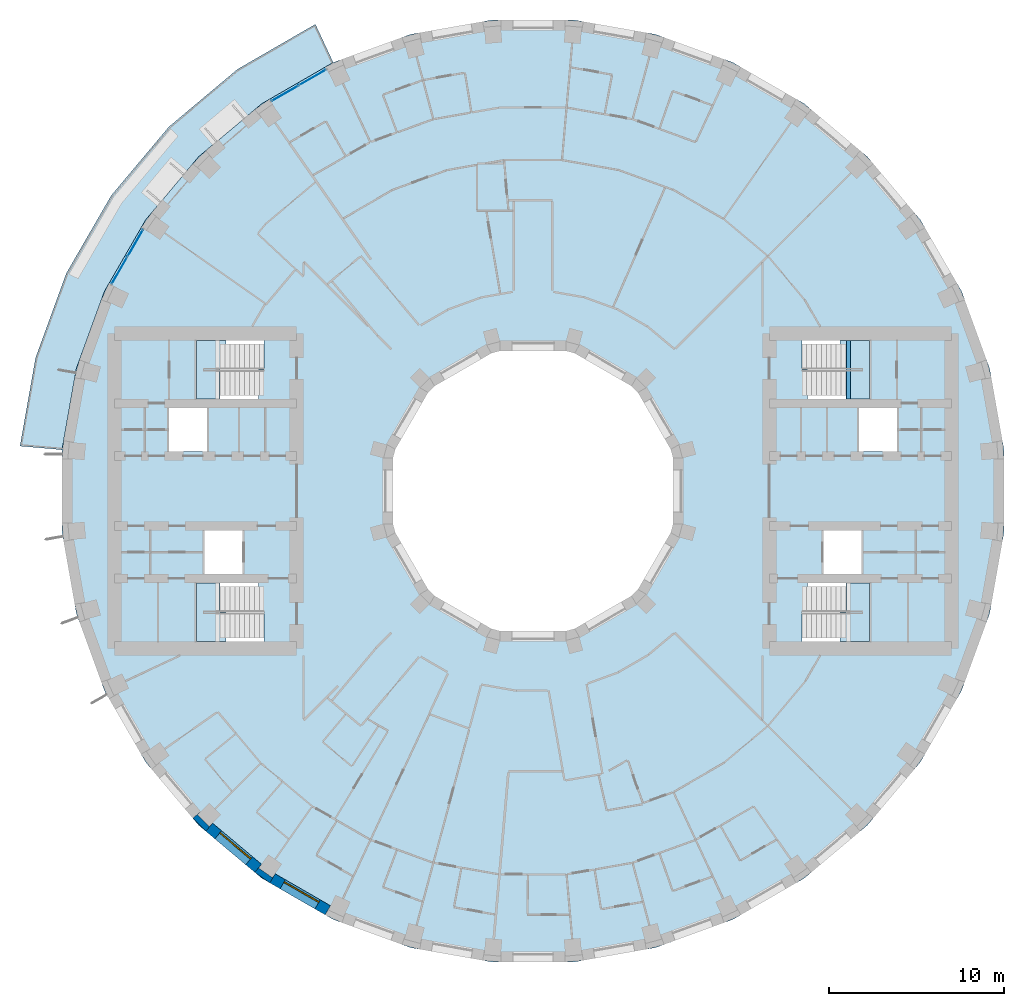
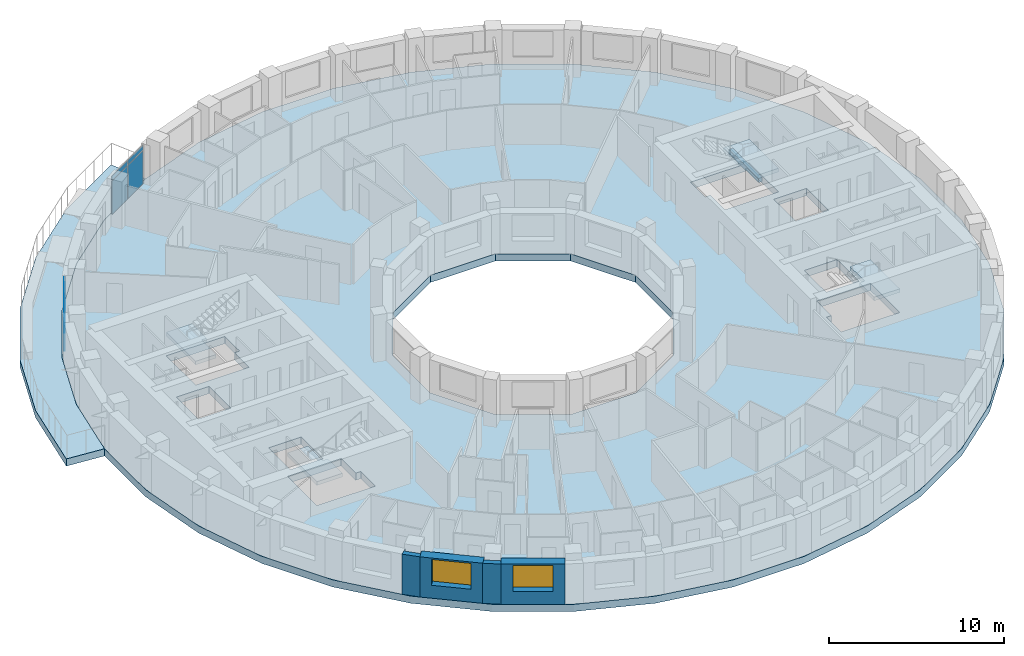
# One storey, part 3 of 15: 8 plates, 6 slabs, 4 walls, 2 windows, 1 beam, 2 openings, 6 elements without a shape of their own.
"""IFC4 building model written with IfcOpenShell, lengths in metres."""

from ifc_helpers import new_model, si_unit, direction, frame, frame_2d, origin, origin_2d, place, context, subcontext, project, spatial, polyline, rectangle, outline, extrude, material, layer, layer_set, material_profile, profile_set, type_object, element, fill, aggregate, save


model = new_model("IFC4")

# Units and contexts
model_context = context("Model", 3, precision=1e-05, world=origin(), true_north=direction((0.0, 1.0)))
body_context = subcontext(model_context, "Body", "Model", "MODEL_VIEW")
ifc_project = project(units=[si_unit("LENGTHUNIT", "METRE"), si_unit("AREAUNIT", "SQUARE_METRE"), si_unit("VOLUMEUNIT", "CUBIC_METRE"), si_unit("PLANEANGLEUNIT", "RADIAN"), si_unit("MASSUNIT", "GRAM", prefix="KILO")], contexts=[model_context])

# Site, building, storey
site_placement = place(None, origin())
site = spatial("IfcSite", under=ifc_project, at=site_placement, CompositionType="ELEMENT")
building_placement = place(site_placement, origin())
building = spatial("IfcBuilding", under=site, at=building_placement, Name="Saqina Gate Tower", CompositionType="ELEMENT")
storey_placement = place(building_placement, frame((0.0, 0.0, 108.39990234375)))
storey = spatial("IfcBuildingStorey", under=building, at=storey_placement, Name="L30", CompositionType="ELEMENT", Elevation=108.39990234375)

# Beam
ifc_material_1 = material(Name="Concrete C40/50", Category="concrete")
ifc_material_profile = material_profile(ifc_material_1, rectangle(XDim=0.25, YDim=0.300048828125, at=origin_2d()), Name="STAIR LANDING BEAM")
ifc_profile_set = profile_set([ifc_material_profile], Name="Concrete C40/50")
beam_type = type_object("IfcBeamType", Name="STAIR LANDING BEAM", PredefinedType="BEAM", material=ifc_profile_set)
beam_placement = place(storey_placement, frame((18.02001953125, 5.25, 1.25), z_axis=(0.0, 1.0, 0.0), x_axis=(-1.0, 0.0, 0.0)))
element("IfcBeam", 1, at=beam_placement, inside=storey, type_object=beam_type, Name="EXIT STAIR 1 LANDING BEAM", PredefinedType="BEAM", context=body_context, shape_type="SweptSolid", body=[
    extrude(rectangle(XDim=0.25, YDim=0.300048828125, at=origin_2d()), origin(), (0.0, 0.0, 1.0), 3.35009765625),
])

# Curtain wall, plates
ifc_material_2 = material(Name="Aluminium glazing", Category="aluminium")
ifc_layer_1 = layer(ifc_material_2, 0.159912109375)
ifc_layer_set_1 = layer_set([ifc_layer_1], Name="CWT-4")
curtain_wall_type = type_object("IfcCurtainWallType", Name="CWT-4", PredefinedType="NOTDEFINED", material=ifc_layer_set_1)
curtain_wall_1_placement = place(storey_placement, origin())
curtain_wall_1 = element("IfcCurtainWall", 2, at=curtain_wall_1_placement, inside=storey, type_object=curtain_wall_type, Name="Terrace lounge glazing facet 12", PredefinedType="NOTDEFINED")
ifc_material_3 = material(Name="Glass", Category="glass")
ifc_layer_2 = layer(ifc_material_3, 0.028076171875)
ifc_layer_set_2 = layer_set([ifc_layer_2], Name="CWT-4P")
plate_type = type_object("IfcPlateType", Name="CWT-4P", PredefinedType="CURTAIN_PANEL", material=ifc_layer_set_2)
plate_1_placement = place(storey_placement, frame((-12.596923828125, 23.6123046875, 0.06005859375), z_axis=(0.0, 0.0, 1.0), x_axis=(-0.86602626266, -0.499998512381, 0.0)))
plate_1 = element("IfcPlate", 3, at=plate_1_placement, type_object=plate_type, Name="CW4-12 panel 1.1", PredefinedType="CURTAIN_PANEL", context=body_context, shape_type="SweptSolid", body=[
    extrude(rectangle(XDim=1.73388671875, YDim=0.028076171875, at=origin_2d()), origin(), (0.0, 0.0, 1.0), 2.31005859375),
])
plate_2_placement = place(storey_placement, frame((-12.596923828125, 23.6123046875, 2.43017578125), z_axis=(0.0, 0.0, 1.0), x_axis=(-0.86602626266, -0.499998512381, 0.0)))
plate_2 = element("IfcPlate", 4, at=plate_2_placement, type_object=plate_type, Name="CW4-12 panel 1.2", PredefinedType="CURTAIN_PANEL", context=body_context, shape_type="SweptSolid", body=[
    extrude(rectangle(XDim=1.73388671875, YDim=0.028076171875, at=origin_2d()), origin(), (0.0, 0.0, 1.0), 0.31005859375),
])
plate_3_placement = place(storey_placement, frame((-14.150390625, 22.71533203125, 0.06005859375), z_axis=(0.0, 0.0, 1.0), x_axis=(-0.86602626266, -0.499998512381, 0.0)))
plate_3 = element("IfcPlate", 5, at=plate_3_placement, type_object=plate_type, Name="CW4-12 panel 2.1", PredefinedType="CURTAIN_PANEL", context=body_context, shape_type="SweptSolid", body=[
    extrude(rectangle(XDim=1.73388671875, YDim=0.028076171875, at=origin_2d()), origin(), (0.0, 0.0, 1.0), 2.31005859375),
])
plate_4_placement = place(storey_placement, frame((-14.150390625, 22.71533203125, 2.43017578125), z_axis=(0.0, 0.0, 1.0), x_axis=(-0.86602626266, -0.499998512381, 0.0)))
plate_4 = element("IfcPlate", 6, at=plate_4_placement, type_object=plate_type, Name="CW4-12 panel 2.2", PredefinedType="CURTAIN_PANEL", context=body_context, shape_type="SweptSolid", body=[
    extrude(rectangle(XDim=1.73388671875, YDim=0.028076171875, at=origin_2d()), origin(), (0.0, 0.0, 1.0), 0.31005859375),
])
aggregate(curtain_wall_1, [plate_1, plate_2, plate_3, plate_4])

curtain_wall_2_placement = place(storey_placement, origin())
curtain_wall_2 = element("IfcCurtainWall", 7, at=curtain_wall_2_placement, inside=storey, type_object=curtain_wall_type, Name="Terrace lounge glazing facet 15", PredefinedType="NOTDEFINED")
plate_5_placement = place(storey_placement, frame((-22.71533203125, 14.150390625, 0.06005859375), z_axis=(0.0, 0.0, 1.0), x_axis=(-0.499998512381, -0.86602626266, 0.0)))
plate_5 = element("IfcPlate", 8, at=plate_5_placement, type_object=plate_type, Name="CW4-15 panel 1.1", PredefinedType="CURTAIN_PANEL", context=body_context, shape_type="SweptSolid", body=[
    extrude(rectangle(XDim=1.73388671875, YDim=0.028076171875, at=origin_2d()), origin(), (0.0, 0.0, 1.0), 2.31005859375),
])
plate_6_placement = place(storey_placement, frame((-22.71533203125, 14.150390625, 2.43017578125), z_axis=(0.0, 0.0, 1.0), x_axis=(-0.499998512381, -0.86602626266, 0.0)))
plate_6 = element("IfcPlate", 9, at=plate_6_placement, type_object=plate_type, Name="CW4-15 panel 1.2", PredefinedType="CURTAIN_PANEL", context=body_context, shape_type="SweptSolid", body=[
    extrude(rectangle(XDim=1.73388671875, YDim=0.028076171875, at=origin_2d()), origin(), (0.0, 0.0, 1.0), 0.31005859375),
])
plate_7_placement = place(storey_placement, frame((-23.6123046875, 12.596923828125, 0.06005859375), z_axis=(0.0, 0.0, 1.0), x_axis=(-0.499998512381, -0.86602626266, 0.0)))
plate_7 = element("IfcPlate", 10, at=plate_7_placement, type_object=plate_type, Name="CW4-15 panel 2.1", PredefinedType="CURTAIN_PANEL", context=body_context, shape_type="SweptSolid", body=[
    extrude(rectangle(XDim=1.73388671875, YDim=0.028076171875, at=origin_2d()), origin(), (0.0, 0.0, 1.0), 2.31005859375),
])
plate_8_placement = place(storey_placement, frame((-23.6123046875, 12.596923828125, 2.43017578125), z_axis=(0.0, 0.0, 1.0), x_axis=(-0.499998512381, -0.86602626266, 0.0)))
plate_8 = element("IfcPlate", 11, at=plate_8_placement, type_object=plate_type, Name="CW4-15 panel 2.2", PredefinedType="CURTAIN_PANEL", context=body_context, shape_type="SweptSolid", body=[
    extrude(rectangle(XDim=1.73388671875, YDim=0.028076171875, at=origin_2d()), origin(), (0.0, 0.0, 1.0), 0.31005859375),
])
aggregate(curtain_wall_2, [plate_5, plate_6, plate_7, plate_8])

# Stair, slab
ifc_material_4 = material(Name="Concrete C40/50", Category="concrete")
stair_type = type_object("IfcStairType", Name="EXIT STAIR", PredefinedType="HALF_TURN_STAIR", material=ifc_material_4)
stair_1_placement = place(storey_placement, origin())
stair_1 = element("IfcStair", 12, at=stair_1_placement, inside=storey, type_object=stair_type, Name="EXIT STAIR 1", PredefinedType="HALF_TURN_STAIR")
ifc_material_5 = material(Name="Concrete C40/50", Category="concrete")
ifc_layer_3 = layer(ifc_material_5, 0.25)
ifc_layer_set_3 = layer_set([ifc_layer_3], Name="Concrete C40/50")
slab_type_1 = type_object("IfcSlabType", Name="EXIT STAIR LANDING", PredefinedType="LANDING", material=ifc_layer_set_3)
slab_1_placement = place(storey_placement, frame((0.0, 0.0, 1.400146484375)))
slab_1 = element("IfcSlab", 13, at=slab_1_placement, type_object=slab_type_1, Name="EXIT STAIR 1 LANDING 1", PredefinedType="LANDING", context=body_context, shape_type="SweptSolid", body=[
    extrude(outline(polyline([(19.219970703125, 8.60009765625), (19.219970703125, 5.25), (17.864990234375, 5.25), (17.864990234375, 6.925048828125), (17.534423828125, 6.925048828125), (17.534423828125, 8.60009765625), (17.864990234375, 8.60009765625), (17.8701171875, 8.60009765625), (19.219970703125, 8.60009765625)])), origin(), (0.0, 0.0, 1.0), 0.25),
])
aggregate(stair_1, [slab_1])

stair_2_placement = place(storey_placement, origin())
stair_2 = element("IfcStair", 14, at=stair_2_placement, inside=storey, type_object=stair_type, Name="EXIT STAIR 2", PredefinedType="HALF_TURN_STAIR")
slab_2_placement = place(storey_placement, frame((0.0, 0.0, 1.400146484375)))
slab_2 = element("IfcSlab", 15, at=slab_2_placement, type_object=slab_type_1, Name="EXIT STAIR 2 LANDING 1", PredefinedType="LANDING", context=body_context, shape_type="SweptSolid", body=[
    extrude(outline(polyline([(17.534423828125, -8.60009765625), (17.534423828125, -6.925048828125), (17.864990234375, -6.925048828125), (17.864990234375, -5.25), (19.219970703125, -5.25), (19.219970703125, -8.60009765625), (17.8701171875, -8.60009765625), (17.864990234375, -8.60009765625), (17.534423828125, -8.60009765625)])), origin(), (0.0, 0.0, 1.0), 0.25),
])
aggregate(stair_2, [slab_2])

stair_3_placement = place(storey_placement, origin())
stair_3 = element("IfcStair", 16, at=stair_3_placement, inside=storey, type_object=stair_type, Name="EXIT STAIR 3", PredefinedType="HALF_TURN_STAIR")
slab_3_placement = place(storey_placement, frame((0.0, 0.0, 1.400146484375)))
slab_3 = element("IfcSlab", 17, at=slab_3_placement, type_object=slab_type_1, Name="EXIT STAIR 3 LANDING 1", PredefinedType="LANDING", context=body_context, shape_type="SweptSolid", body=[
    extrude(outline(polyline([(-17.864990234375, 5.25), (-19.219970703125, 5.25), (-19.219970703125, 8.60009765625), (-17.8701171875, 8.60009765625), (-17.864990234375, 8.60009765625), (-17.534423828125, 8.60009765625), (-17.534423828125, 6.925048828125), (-17.864990234375, 6.925048828125), (-17.864990234375, 5.25)])), origin(), (0.0, 0.0, 1.0), 0.25),
])
aggregate(stair_3, [slab_3])

stair_4_placement = place(storey_placement, origin())
stair_4 = element("IfcStair", 18, at=stair_4_placement, inside=storey, type_object=stair_type, Name="EXIT STAIR 4", PredefinedType="HALF_TURN_STAIR")
slab_4_placement = place(storey_placement, frame((0.0, 0.0, 1.400146484375)))
slab_4 = element("IfcSlab", 19, at=slab_4_placement, type_object=slab_type_1, Name="EXIT STAIR 4 LANDING 1", PredefinedType="LANDING", context=body_context, shape_type="SweptSolid", body=[
    extrude(outline(polyline([(-17.534423828125, -6.925048828125), (-17.534423828125, -8.60009765625), (-17.864990234375, -8.60009765625), (-17.8701171875, -8.60009765625), (-19.219970703125, -8.60009765625), (-19.219970703125, -5.25), (-17.864990234375, -5.25), (-17.864990234375, -6.925048828125), (-17.534423828125, -6.925048828125)])), origin(), (0.0, 0.0, 1.0), 0.25),
])
aggregate(stair_4, [slab_4])

# Slabs
ifc_material_6 = material(Name="Concrete C40/50", Category="concrete")
ifc_layer_4 = layer(ifc_material_6, 0.5)
ifc_layer_set_4 = layer_set([ifc_layer_4], Name="Concrete C40/50")
slab_type_2 = type_object("IfcSlabType", Name="STR-POST-TENSIONED FLAT PLATE FLOOR-500", PredefinedType="FLOOR", material=ifc_layer_set_4)
slab_5_placement = place(storey_placement, frame((0.0, 0.0, -0.5)))
element("IfcSlab", 20, at=slab_5_placement, inside=storey, type_object=slab_type_2, Name="L30-SLB01", PredefinedType="FLOOR", context=body_context, shape_type="SweptSolid", body=[
    extrude(outline(polyline([(26.080078125, -6.988037109375), (26.897216796875, -2.353271484375), (26.897216796875, 2.353271484375), (26.080078125, 6.988037109375), (24.47021484375, 11.41064453125), (22.1171875, 15.486572265625), (19.091796875, 19.091796875), (15.486572265625, 22.1171875), (11.41064453125, 24.47021484375), (6.988037109375, 26.080078125), (2.353271484375, 26.897216796875), (-2.353271484375, 26.897216796875), (-6.988037109375, 26.080078125), (-11.41064453125, 24.47021484375), (-15.486572265625, 22.1171875), (-19.091796875, 19.091796875), (-22.1171875, 15.486572265625), (-24.47021484375, 11.41064453125), (-26.080078125, 6.988037109375), (-26.897216796875, 2.353271484375), (-26.897216796875, -2.353271484375), (-26.080078125, -6.988037109375), (-24.47021484375, -11.41064453125), (-22.1171875, -15.486572265625), (-19.091796875, -19.091796875), (-15.486572265625, -22.1171875), (-11.41064453125, -24.47021484375), (-6.988037109375, -26.080078125), (-2.353271484375, -26.897216796875), (2.353271484375, -26.897216796875), (6.988037109375, -26.080078125), (11.41064453125, -24.47021484375), (15.486572265625, -22.1171875), (19.091796875, -19.091796875), (22.1171875, -15.486572265625), (24.47021484375, -11.41064453125), (26.080078125, -6.988037109375)]), holes=[polyline([(2.1435546875, 8.0), (5.8564453125, 5.8564453125), (8.0, 2.1435546875), (8.0, -2.1435546875), (5.8564453125, -5.8564453125), (2.1435546875, -8.0), (-2.1435546875, -8.0), (-5.8564453125, -5.8564453125), (-8.0, -2.1435546875), (-8.0, 2.1435546875), (-5.8564453125, 5.8564453125), (-2.1435546875, 8.0), (2.1435546875, 8.0)]), polyline([(-15.35498046875, -8.60009765625), (-19.219970703125, -8.60009765625), (-19.219970703125, -6.925048828125), (-19.219970703125, -5.25), (-15.685546875, -5.25), (-15.685546875, -6.925048828125), (-15.35498046875, -6.925048828125), (-15.35498046875, -8.60009765625)]), polyline([(-16.590087890625, -2.25), (-16.590087890625, -4.75), (-18.75, -4.75), (-18.75, -2.25), (-16.590087890625, -2.25)]), polyline([(-20.780029296875, 4.75), (-18.6201171875, 4.75), (-18.6201171875, 2.25), (-20.780029296875, 2.25), (-20.780029296875, 4.75)]), polyline([(-19.219970703125, 6.925048828125), (-19.219970703125, 8.60009765625), (-15.35498046875, 8.60009765625), (-15.35498046875, 6.925048828125), (-15.685546875, 6.925048828125), (-15.685546875, 5.25), (-19.219970703125, 5.25), (-19.219970703125, 6.925048828125)]), polyline([(15.35498046875, -8.60009765625), (15.35498046875, -6.925048828125), (15.685546875, -6.925048828125), (15.685546875, -5.25), (19.219970703125, -5.25), (19.219970703125, -6.925048828125), (19.219970703125, -8.60009765625), (15.35498046875, -8.60009765625)]), polyline([(18.75, -2.25), (18.75, -4.75), (16.590087890625, -4.75), (16.590087890625, -2.25), (18.75, -2.25)]), polyline([(18.6201171875, 4.75), (20.780029296875, 4.75), (20.780029296875, 2.25), (18.6201171875, 2.25), (18.6201171875, 4.75)]), polyline([(15.685546875, 6.925048828125), (15.35498046875, 6.925048828125), (15.35498046875, 8.60009765625), (19.219970703125, 8.60009765625), (19.219970703125, 6.925048828125), (19.219970703125, 5.25), (15.685546875, 5.25), (15.685546875, 6.925048828125)])]), origin(), (0.0, 0.0, 1.0), 0.5),
])
ifc_material_7 = material(Name="Concrete C40/50", Category="concrete")
ifc_layer_5 = layer(ifc_material_7, 0.5)
ifc_layer_set_5 = layer_set([ifc_layer_5], Name="Concrete C40/50")
slab_type_3 = type_object("IfcSlabType", Name="STR-POST-TENSIONED FLAT PLATE TERRACE-500", PredefinedType="FLOOR", material=ifc_layer_set_5)
slab_6_placement = place(storey_placement, frame((0.0, 0.0, -0.5)))
element("IfcSlab", 21, at=slab_6_placement, inside=storey, type_object=slab_type_3, Name="L30-TRS01", PredefinedType="FLOOR", context=body_context, shape_type="SweptSolid", body=[
    extrude(outline(polyline([(-11.41064453125, 24.47021484375), (-15.486572265625, 22.1171875), (-19.091796875, 19.091796875), (-22.1171875, 15.486572265625), (-24.47021484375, 11.41064453125), (-26.080078125, 6.988037109375), (-26.897216796875, 2.353271484375), (-29.29736328125, 2.563232421875), (-28.406982421875, 7.611572265625), (-26.65380859375, 12.428955078125), (-24.090576171875, 16.868408203125), (-20.79541015625, 20.79541015625), (-16.868408203125, 24.090576171875), (-12.428955078125, 26.65380859375), (-11.41064453125, 24.47021484375)])), origin(), (0.0, 0.0, 1.0), 0.5),
])

# Walls
ifc_material_8 = material(Name="Brick masonry (buff)", Category="masonry")
wall_type_1 = type_object("IfcWallType", Name="BRICK PIER COPING BUFF", PredefinedType="SOLIDWALL", material=ifc_material_8)
wall_1_placement = place(storey_placement, origin())
element("IfcWall", 22, at=wall_1_placement, inside=storey, type_object=wall_type_1, Name="Pier cap L30 column 23", PredefinedType="SOLIDWALL", context=body_context, shape_type="SweptSolid", body=[
    extrude(outline(polyline([(-19.43212890625, -18.686279296875), (-18.686279296875, -19.43212890625), (-18.30078125, -18.972412109375), (-18.49072265625, -19.16259765625), (-19.16259765625, -18.49072265625), (-18.972412109375, -18.30078125), (-19.43212890625, -18.686279296875)])), origin(), (0.0, 0.0, 1.0), 2.800048828125),
])
wall_2_placement = place(storey_placement, origin())
element("IfcWall", 23, at=wall_2_placement, inside=storey, type_object=wall_type_1, Name="Pier cap L30 column 24", PredefinedType="SOLIDWALL", context=body_context, shape_type="SweptSolid", body=[
    extrude(outline(polyline([(-15.0283203125, -22.3818359375), (-14.728271484375, -21.862060546875), (-14.88232421875, -22.08251953125), (-15.66064453125, -21.53759765625), (-15.50634765625, -21.317138671875), (-15.89208984375, -21.77685546875), (-15.0283203125, -22.3818359375)])), origin(), (0.0, 0.0, 1.0), 2.800048828125),
])

# Wall, opening, window
ifc_material_9 = material(Name="Brick masonry (buff)", Category="masonry")
ifc_layer_6 = layer(ifc_material_9, 0.60009765625)
ifc_layer_set_6 = layer_set([ifc_layer_6], Name="FW-BRICK-BUFF")
wall_type_2 = type_object("IfcWallType", Name="FW-BRICK-BUFF", PredefinedType="SOLIDWALL", material=ifc_layer_set_6)
wall_3_placement = place(storey_placement, frame((-18.49365234375, -19.202392578125, 0.0), z_axis=(0.0, 0.0, 1.0), x_axis=(0.766055462616, -0.642774476932, 0.0)))
wall_3 = element("IfcWall", 24, at=wall_3_placement, inside=storey, type_object=wall_type_2, Name="Facade wall L30 facet 23", PredefinedType="SOLIDWALL", context=body_context, shape_type="SweptSolid", body=[
    extrude(rectangle(XDim=3.647705078125, YDim=0.60009765625, at=frame_2d((1.82373046875, 0.0))), origin(), (0.0, 0.0, 1.0), 2.800048828125),
])
opening_1_placement = place(wall_3_placement, frame((0.673828125, 0.0, 0.89990234375)))
opening_1 = element("IfcOpeningElement", 25, at=opening_1_placement, cuts=wall_3, Name="Opening G08-W12", PredefinedType="OPENING", context=body_context, shape_type="SweptSolid", body=[
    extrude(rectangle(XDim=2.300048828125, YDim=1.800048828125, at=frame_2d((1.14990234375, 0.89990234375))), frame((0.0, 0.31201171875, 0.0), z_axis=(0.0, -1.0, 0.0), x_axis=(1.0, 0.0, 0.0)), (0.0, 0.0, 1.0), 0.6240234375),
])
ifc_material_10 = material(Name="Aluminium glazing", Category="aluminium")
window_type = type_object("IfcWindowType", Name="WN-B", PartitioningType="SINGLE_PANEL", PredefinedType="WINDOW", material=ifc_material_10)
window_1_placement = place(opening_1_placement, origin())
window_1 = element("IfcWindow", 26, at=window_1_placement, inside=storey, type_object=window_type, Name="Window L30 facet 23", OverallHeight=1.800048828125, OverallWidth=2.300048828125, PartitioningType="SINGLE_PANEL", PredefinedType="WINDOW", context=body_context, shape_type="SweptSolid", body=[
    extrude(rectangle(XDim=2.300048828125, YDim=1.800048828125, at=frame_2d((1.14990234375, 0.89990234375))), frame((0.0, 0.179931640625, 0.0), z_axis=(0.0, -1.0, 0.0), x_axis=(1.0, 0.0, 0.0)), (0.0, 0.0, 1.0), 0.06005859375),
])
fill(opening_1, window_1)

wall_4_placement = place(storey_placement, frame((-14.878173828125, -22.1220703125, 0.0), z_axis=(0.0, 0.0, 1.0), x_axis=(0.866051847062, -0.499954196102, 0.0)))
wall_4 = element("IfcWall", 27, at=wall_4_placement, inside=storey, type_object=wall_type_2, Name="Facade wall L30 facet 24", PredefinedType="SOLIDWALL", context=body_context, shape_type="SweptSolid", body=[
    extrude(rectangle(XDim=3.647705078125, YDim=0.60009765625, at=frame_2d((1.82373046875, 0.0))), origin(), (0.0, 0.0, 1.0), 2.800048828125),
])
opening_2_placement = place(wall_4_placement, frame((0.673828125, 0.0, 0.89990234375)))
opening_2 = element("IfcOpeningElement", 28, at=opening_2_placement, cuts=wall_4, Name="Opening G08-W13", PredefinedType="OPENING", context=body_context, shape_type="SweptSolid", body=[
    extrude(rectangle(XDim=2.300048828125, YDim=1.800048828125, at=frame_2d((1.14990234375, 0.89990234375))), frame((0.0, 0.31201171875, 0.0), z_axis=(0.0, -1.0, 0.0), x_axis=(1.0, 0.0, 0.0)), (0.0, 0.0, 1.0), 0.6240234375),
])
window_2_placement = place(opening_2_placement, origin())
window_2 = element("IfcWindow", 29, at=window_2_placement, inside=storey, type_object=window_type, Name="Window L30 facet 24", OverallHeight=1.800048828125, OverallWidth=2.300048828125, PartitioningType="SINGLE_PANEL", PredefinedType="WINDOW", context=body_context, shape_type="SweptSolid", body=[
    extrude(rectangle(XDim=2.300048828125, YDim=1.800048828125, at=frame_2d((1.14990234375, 0.89990234375))), frame((0.0, 0.179931640625, 0.0), z_axis=(0.0, -1.0, 0.0), x_axis=(1.0, 0.0, 0.0)), (0.0, 0.0, 1.0), 0.06005859375),
])
fill(opening_2, window_2)

save(model, "model.ifc")
